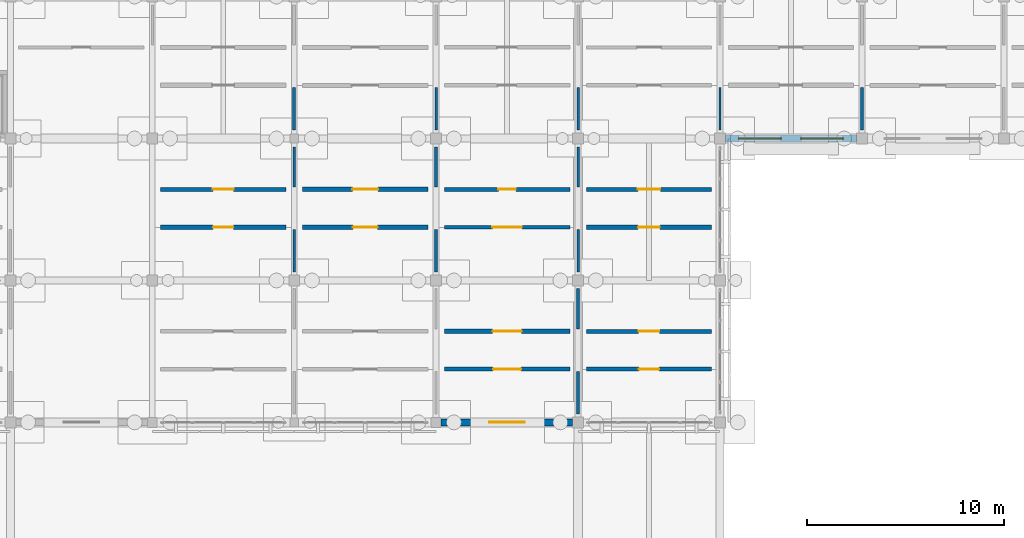
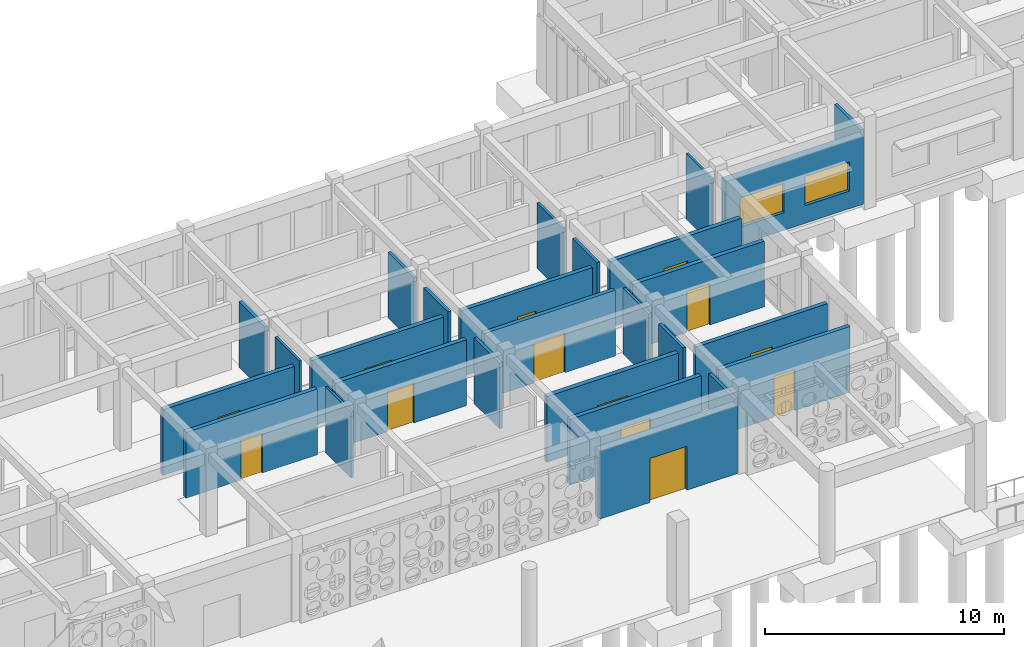
# One storey, part 73 of 111: 27 walls, 13 doors, 2 windows, 15 openings.
"""IFC4 building model written with IfcOpenShell, lengths in metres."""

from ifc_helpers import new_model, si_unit, direction, frame, frame_2d, origin, place, context, subcontext, project, spatial, rectangle, extrude, material, layer, layer_set, type_object, element, fill, save


model = new_model("IFC4")

# Units and contexts
model_context = context("Model", 3, precision=1e-05, world=origin(), true_north=direction((0.0, 1.0)))
body_context = subcontext(model_context, "Body", "Model", "MODEL_VIEW")
ifc_project = project(units=[si_unit("LENGTHUNIT", "METRE"), si_unit("AREAUNIT", "SQUARE_METRE"), si_unit("VOLUMEUNIT", "CUBIC_METRE"), si_unit("PLANEANGLEUNIT", "RADIAN"), si_unit("MASSUNIT", "GRAM", prefix="KILO")], contexts=[model_context])

# Site, building, storey
site_placement = place(None, origin())
site = spatial("IfcSite", under=ifc_project, at=site_placement, CompositionType="ELEMENT")
building_placement = place(site_placement, origin())
building = spatial("IfcBuilding", under=site, at=building_placement, Name="Aldebral Square Health Centre", CompositionType="ELEMENT")
storey_placement = place(building_placement, origin())
storey = spatial("IfcBuildingStorey", under=building, at=storey_placement, Name="L00", CompositionType="ELEMENT", Elevation=0.0)

# Wall, opening, door
ifc_material_1 = material(Name="Cream cantera stone and concrete wall C35/45", Category="masonry")
ifc_layer_1 = layer(ifc_material_1, 0.360107421875, Name="Cream cantera stone and concrete wall C35/45", Category="masonry")
ifc_layer_set_1 = layer_set([ifc_layer_1], Name="Cream cantera stone and concrete wall C35/45")
wall_type_1 = type_object("IfcWallType", Name="EW-CAN-360", PredefinedType="SOLIDWALL", material=ifc_layer_set_1)
wall_1_placement = place(storey_placement, frame((100.52490234375, 79.199951171875, 0.0), z_axis=(0.0, 0.0, 1.0), x_axis=(-1.0, 0.0, 0.0)))
wall_1 = element("IfcWall", 1, at=wall_1_placement, inside=storey, type_object=wall_type_1, Name="L00 V1 exterior wall L00-V1-13-11-S", PredefinedType="SOLIDWALL", context=body_context, shape_type="SweptSolid", body=[
    extrude(rectangle(XDim=6.6748046875, YDim=0.360107421875, at=frame_2d((3.33740234375, 0.0))), origin(), (0.0, 0.0, 1.0), 3.469970703125),
])
opening_1_placement = place(wall_1_placement, frame((2.4375, 0.0, 0.0)))
opening_1 = element("IfcOpeningElement", 2, at=opening_1_placement, cuts=wall_1, Name="Opening D-EX02", PredefinedType="OPENING", context=body_context, shape_type="SweptSolid", body=[
    extrude(rectangle(XDim=1.800048828125, YDim=2.25, at=frame_2d((0.89990234375, 1.125))), frame((0.0, 0.18994140625, 0.0), z_axis=(0.0, -1.0, 0.0), x_axis=(1.0, 0.0, 0.0)), (0.0, 0.0, 1.0), 0.380126953125),
])
ifc_material_2 = material(Name="Anodised aluminium and laminated safety glass", Category="aluminium")
door_type_1 = type_object("IfcDoorType", Name="DR-EX-180", OperationType="DOUBLE_DOOR_SINGLE_SWING", PredefinedType="DOOR", material=ifc_material_2)
door_1_placement = place(opening_1_placement, origin())
door_1 = element("IfcDoor", 3, at=door_1_placement, inside=storey, type_object=door_type_1, Name="L00 exterior door D-EX02", OperationType="DOUBLE_DOOR_SINGLE_SWING", OverallHeight=2.25, OverallWidth=1.800048828125, PredefinedType="DOOR", context=body_context, shape_type="SweptSolid", body=[
    extrude(rectangle(XDim=1.800048828125, YDim=2.25, at=frame_2d((0.89990234375, 1.125))), frame((0.0, 0.02490234375, 0.0), z_axis=(0.0, -1.0, 0.0), x_axis=(1.0, 0.0, 0.0)), (0.0, 0.0, 1.0), 0.050048828125),
])
fill(opening_1, door_1)

# Wall, openings, windows
wall_2_placement = place(storey_placement, frame((108.27490234375, 93.60009765625, 0.0), z_axis=(0.0, 0.0, 1.0), x_axis=(1.0, 0.0, 0.0)))
wall_2 = element("IfcWall", 4, at=wall_2_placement, inside=storey, type_object=wall_type_1, Name="L00 V5 exterior wall L00-V5-15-13-S", PredefinedType="SOLIDWALL", context=body_context, shape_type="SweptSolid", body=[
    extrude(rectangle(XDim=6.650146484375, YDim=0.360107421875, at=frame_2d((3.3251953125, 0.0))), origin(), (0.0, 0.0, 1.0), 3.469970703125),
])
opening_2_placement = place(wall_2_placement, frame((0.675048828125, 0.0, 0.89990234375)))
opening_2 = element("IfcOpeningElement", 5, at=opening_2_placement, cuts=wall_2, Name="Opening W27", PredefinedType="OPENING", context=body_context, shape_type="SweptSolid", body=[
    extrude(rectangle(XDim=2.14990234375, YDim=1.5, at=frame_2d((1.074951171875, 0.75))), frame((0.0, 0.18994140625, 0.0), z_axis=(0.0, -1.0, 0.0), x_axis=(1.0, 0.0, 0.0)), (0.0, 0.0, 1.0), 0.380126953125),
])
opening_3_placement = place(wall_2_placement, frame((3.824951171875, 0.0, 0.89990234375)))
opening_3 = element("IfcOpeningElement", 6, at=opening_3_placement, cuts=wall_2, Name="Opening W27", PredefinedType="OPENING", context=body_context, shape_type="SweptSolid", body=[
    extrude(rectangle(XDim=2.14990234375, YDim=1.5, at=frame_2d((1.074951171875, 0.75))), frame((0.0, 0.18994140625, 0.0), z_axis=(0.0, -1.0, 0.0), x_axis=(1.0, 0.0, 0.0)), (0.0, 0.0, 1.0), 0.380126953125),
])
ifc_material_3 = material(Name="Thermally broken aluminium and low-E glass", Category="aluminium")
window_type = type_object("IfcWindowType", Name="WIN-W27", PartitioningType="SINGLE_PANEL", PredefinedType="WINDOW", material=ifc_material_3)
window_1_placement = place(opening_2_placement, origin())
window_1 = element("IfcWindow", 7, at=window_1_placement, inside=storey, type_object=window_type, Name="L00 clinical window L00-V5-15-13-S.1", OverallHeight=1.5, OverallWidth=2.14990234375, PartitioningType="SINGLE_PANEL", PredefinedType="WINDOW", context=body_context, shape_type="SweptSolid", body=[
    extrude(rectangle(XDim=2.14990234375, YDim=1.5, at=frame_2d((1.074951171875, 0.75))), frame((0.0, 0.030029296875, 0.0), z_axis=(0.0, -1.0, 0.0), x_axis=(1.0, 0.0, 0.0)), (0.0, 0.0, 1.0), 0.06005859375),
])
fill(opening_2, window_1)
window_2_placement = place(opening_3_placement, origin())
window_2 = element("IfcWindow", 8, at=window_2_placement, inside=storey, type_object=window_type, Name="L00 clinical window L00-V5-15-13-S.2", OverallHeight=1.5, OverallWidth=2.14990234375, PartitioningType="SINGLE_PANEL", PredefinedType="WINDOW", context=body_context, shape_type="SweptSolid", body=[
    extrude(rectangle(XDim=2.14990234375, YDim=1.5, at=frame_2d((1.074951171875, 0.75))), frame((0.0, 0.030029296875, 0.0), z_axis=(0.0, -1.0, 0.0), x_axis=(1.0, 0.0, 0.0)), (0.0, 0.0, 1.0), 0.06005859375),
])
fill(opening_3, window_2)

# Wall, opening, door
ifc_material_4 = material(Name="Concrete C35/45 compartment wall", Category="concrete")
ifc_layer_2 = layer(ifc_material_4, 0.199951171875, Name="Concrete C35/45 compartment wall", Category="concrete")
ifc_layer_set_2 = layer_set([ifc_layer_2], Name="Concrete C35/45 compartment wall")
wall_type_2 = type_object("IfcWallType", Name="IW-CMP-200", PredefinedType="SOLIDWALL", material=ifc_layer_set_2)
wall_3_placement = place(storey_placement, frame((94.02001953125, 89.10009765625, 0.0), z_axis=(0.0, 0.0, 1.0), x_axis=(1.0, 0.0, 0.0)))
wall_3 = element("IfcWall", 9, at=wall_3_placement, inside=storey, type_object=wall_type_2, Name="L00 Outpatient Registration 14.13S corridor wall", PredefinedType="SOLIDWALL", context=body_context, shape_type="SweptSolid", body=[
    extrude(rectangle(XDim=6.35986328125, YDim=0.199951171875, at=frame_2d((3.179931640625, 0.0))), origin(), (0.0, 0.0, 1.0), 3.360107421875),
])
opening_4_placement = place(wall_3_placement, frame((2.429931640625, 0.0, 0.0)))
opening_4 = element("IfcOpeningElement", 10, at=opening_4_placement, cuts=wall_3, Name="Opening D-FD60-20", PredefinedType="OPENING", context=body_context, shape_type="SweptSolid", body=[
    extrude(rectangle(XDim=1.5, YDim=2.0400390625, at=frame_2d((0.75, 1.02001953125))), frame((0.0, 0.10986328125, 0.0), z_axis=(0.0, -1.0, 0.0), x_axis=(1.0, 0.0, 0.0)), (0.0, 0.0, 1.0), 0.219970703125),
])
ifc_material_5 = material(Name="Clinical suite fire door")
door_type_2 = type_object("IfcDoorType", Name="ID-EXD-15", OperationType="NOTDEFINED", PredefinedType="DOOR", material=ifc_material_5)
door_2_placement = place(opening_4_placement, origin())
door_2 = element("IfcDoor", 11, at=door_2_placement, inside=storey, type_object=door_type_2, Name="L00 Outpatient Registration 14.13S door", OperationType="SINGLE_SWING_LEFT", OverallHeight=2.0400390625, OverallWidth=1.5, PredefinedType="DOOR", context=body_context, shape_type="SweptSolid", body=[
    extrude(rectangle(XDim=1.5, YDim=2.0400390625, at=frame_2d((0.75, 1.02001953125))), frame((0.0, 0.02490234375, 0.0), z_axis=(0.0, -1.0, 0.0), x_axis=(1.0, 0.0, 0.0)), (0.0, 0.0, 1.0), 0.050048828125),
])
fill(opening_4, door_2)

wall_4_placement = place(storey_placement, frame((94.02001953125, 91.02001953125, 0.0), z_axis=(0.0, 0.0, 1.0), x_axis=(1.0, 0.0, 0.0)))
wall_4 = element("IfcWall", 12, at=wall_4_placement, inside=storey, type_object=wall_type_2, Name="L00 Pharmacy Dispensary 14.13N corridor wall", PredefinedType="SOLIDWALL", context=body_context, shape_type="SweptSolid", body=[
    extrude(rectangle(XDim=6.35986328125, YDim=0.199951171875, at=frame_2d((3.179931640625, 0.0))), origin(), (0.0, 0.0, 1.0), 3.360107421875),
])
opening_5_placement = place(wall_4_placement, frame((2.72998046875, 0.0, 0.0)))
opening_5 = element("IfcOpeningElement", 13, at=opening_5_placement, cuts=wall_4, Name="Opening D-FD60-21", PredefinedType="OPENING", context=body_context, shape_type="SweptSolid", body=[
    extrude(rectangle(XDim=0.89990234375, YDim=2.090087890625, at=frame_2d((0.449951171875, 1.044921875))), frame((0.0, 0.10986328125, 0.0), z_axis=(0.0, -1.0, 0.0), x_axis=(1.0, 0.0, 0.0)), (0.0, 0.0, 1.0), 0.219970703125),
])
door_type_3 = type_object("IfcDoorType", Name="ID-EXD-16", OperationType="NOTDEFINED", PredefinedType="DOOR", material=ifc_material_5)
door_3_placement = place(opening_5_placement, origin())
door_3 = element("IfcDoor", 14, at=door_3_placement, inside=storey, type_object=door_type_3, Name="L00 Pharmacy Dispensary 14.13N door", OperationType="SINGLE_SWING_RIGHT", OverallHeight=2.090087890625, OverallWidth=0.89990234375, PredefinedType="DOOR", context=body_context, shape_type="SweptSolid", body=[
    extrude(rectangle(XDim=0.89990234375, YDim=2.090087890625, at=frame_2d((0.449951171875, 1.044921875))), frame((0.0, 0.02490234375, 0.0), z_axis=(0.0, -1.0, 0.0), x_axis=(1.0, 0.0, 0.0)), (0.0, 0.0, 1.0), 0.050048828125),
])
fill(opening_5, door_3)

wall_5_placement = place(storey_placement, frame((101.219970703125, 81.89990234375, 0.0), z_axis=(0.0, 0.0, 1.0), x_axis=(1.0, 0.0, 0.0)))
wall_5 = element("IfcWall", 15, at=wall_5_placement, inside=storey, type_object=wall_type_2, Name="L00 Community Cafe 15.12S corridor wall", PredefinedType="SOLIDWALL", context=body_context, shape_type="SweptSolid", body=[
    extrude(rectangle(XDim=6.360107421875, YDim=0.199951171875, at=frame_2d((3.18017578125, 0.0))), origin(), (0.0, 0.0, 1.0), 3.360107421875),
])
opening_6_placement = place(wall_5_placement, frame((2.669921875, 0.0, 0.0)))
opening_6 = element("IfcOpeningElement", 16, at=opening_6_placement, cuts=wall_5, Name="Opening D-FD60-24", PredefinedType="OPENING", context=body_context, shape_type="SweptSolid", body=[
    extrude(rectangle(XDim=1.02001953125, YDim=2.090087890625, at=frame_2d((0.510009765625, 1.044921875))), frame((0.0, 0.10986328125, 0.0), z_axis=(0.0, -1.0, 0.0), x_axis=(1.0, 0.0, 0.0)), (0.0, 0.0, 1.0), 0.219970703125),
])
door_type_4 = type_object("IfcDoorType", Name="ID-EXD-19", OperationType="NOTDEFINED", PredefinedType="DOOR", material=ifc_material_5)
door_4_placement = place(opening_6_placement, origin())
door_4 = element("IfcDoor", 17, at=door_4_placement, inside=storey, type_object=door_type_4, Name="L00 Community Cafe 15.12S door", OperationType="SINGLE_SWING_LEFT", OverallHeight=2.090087890625, OverallWidth=1.02001953125, PredefinedType="DOOR", context=body_context, shape_type="SweptSolid", body=[
    extrude(rectangle(XDim=1.02001953125, YDim=2.090087890625, at=frame_2d((0.510009765625, 1.044921875))), frame((0.0, 0.02490234375, 0.0), z_axis=(0.0, -1.0, 0.0), x_axis=(1.0, 0.0, 0.0)), (0.0, 0.0, 1.0), 0.050048828125),
])
fill(opening_6, door_4)

wall_6_placement = place(storey_placement, frame((101.219970703125, 83.820068359375, 0.0), z_axis=(0.0, 0.0, 1.0), x_axis=(1.0, 0.0, 0.0)))
wall_6 = element("IfcWall", 18, at=wall_6_placement, inside=storey, type_object=wall_type_2, Name="L00 Health Shop 15.12N corridor wall", PredefinedType="SOLIDWALL", context=body_context, shape_type="SweptSolid", body=[
    extrude(rectangle(XDim=6.360107421875, YDim=0.199951171875, at=frame_2d((3.18017578125, 0.0))), origin(), (0.0, 0.0, 1.0), 3.360107421875),
])
opening_7_placement = place(wall_6_placement, frame((2.64990234375, 0.0, 0.0)))
opening_7 = element("IfcOpeningElement", 19, at=opening_7_placement, cuts=wall_6, Name="Opening D-FD60-25", PredefinedType="OPENING", context=body_context, shape_type="SweptSolid", body=[
    extrude(rectangle(XDim=1.06005859375, YDim=2.090087890625, at=frame_2d((0.530029296875, 1.044921875))), frame((0.0, 0.10986328125, 0.0), z_axis=(0.0, -1.0, 0.0), x_axis=(1.0, 0.0, 0.0)), (0.0, 0.0, 1.0), 0.219970703125),
])
door_type_5 = type_object("IfcDoorType", Name="ID-EXD-20", OperationType="NOTDEFINED", PredefinedType="DOOR", material=ifc_material_5)
door_5_placement = place(opening_7_placement, origin())
door_5 = element("IfcDoor", 20, at=door_5_placement, inside=storey, type_object=door_type_5, Name="L00 Health Shop 15.12N door", OperationType="SINGLE_SWING_RIGHT", OverallHeight=2.090087890625, OverallWidth=1.06005859375, PredefinedType="DOOR", context=body_context, shape_type="SweptSolid", body=[
    extrude(rectangle(XDim=1.06005859375, YDim=2.090087890625, at=frame_2d((0.530029296875, 1.044921875))), frame((0.0, 0.02490234375, 0.0), z_axis=(0.0, -1.0, 0.0), x_axis=(1.0, 0.0, 0.0)), (0.0, 0.0, 1.0), 0.050048828125),
])
fill(opening_7, door_5)

ifc_layer_3 = layer(ifc_material_4, 0.219970703125, Name="Concrete C35/45 compartment wall", Category="concrete")
ifc_layer_set_3 = layer_set([ifc_layer_3], Name="Concrete C35/45 compartment wall")
wall_type_3 = type_object("IfcWallType", Name="IW-CMP-220", PredefinedType="SOLIDWALL", material=ifc_layer_set_3)
wall_7_placement = place(storey_placement, frame((86.820068359375, 89.10009765625, 0.0), z_axis=(0.0, 0.0, 1.0), x_axis=(1.0, 0.0, 0.0)))
wall_7 = element("IfcWall", 21, at=wall_7_placement, inside=storey, type_object=wall_type_3, Name="L00 Pharmacy Cold Chain Room 13.13S corridor wall", PredefinedType="SOLIDWALL", context=body_context, shape_type="SweptSolid", body=[
    extrude(rectangle(XDim=6.35986328125, YDim=0.219970703125, at=frame_2d((3.179931640625, 0.0))), origin(), (0.0, 0.0, 1.0), 3.360107421875),
])
opening_8_placement = place(wall_7_placement, frame((2.550048828125, 0.0, 0.0)))
opening_8 = element("IfcOpeningElement", 22, at=opening_8_placement, cuts=wall_7, Name="Opening D-FD60-14", PredefinedType="OPENING", context=body_context, shape_type="SweptSolid", body=[
    extrude(rectangle(XDim=1.260009765625, YDim=2.0400390625, at=frame_2d((0.6298828125, 1.02001953125))), frame((0.0, 0.1201171875, 0.0), z_axis=(0.0, -1.0, 0.0), x_axis=(1.0, 0.0, 0.0)), (0.0, 0.0, 1.0), 0.239990234375),
])
door_type_6 = type_object("IfcDoorType", Name="ID-EXD-09", OperationType="NOTDEFINED", PredefinedType="DOOR", material=ifc_material_5)
door_6_placement = place(opening_8_placement, origin())
door_6 = element("IfcDoor", 23, at=door_6_placement, inside=storey, type_object=door_type_6, Name="L00 Pharmacy Cold Chain Room 13.13S door", OperationType="SINGLE_SWING_LEFT", OverallHeight=2.0400390625, OverallWidth=1.260009765625, PredefinedType="DOOR", context=body_context, shape_type="SweptSolid", body=[
    extrude(rectangle(XDim=1.260009765625, YDim=2.0400390625, at=frame_2d((0.6298828125, 1.02001953125))), frame((0.0, 0.02490234375, 0.0), z_axis=(0.0, -1.0, 0.0), x_axis=(1.0, 0.0, 0.0)), (0.0, 0.0, 1.0), 0.050048828125),
])
fill(opening_8, door_6)

wall_8_placement = place(storey_placement, frame((86.820068359375, 91.02001953125, 0.0), z_axis=(0.0, 0.0, 1.0), x_axis=(1.0, 0.0, 0.0)))
wall_8 = element("IfcWall", 24, at=wall_8_placement, inside=storey, type_object=wall_type_3, Name="L00 Community Cafe 13.13N corridor wall", PredefinedType="SOLIDWALL", context=body_context, shape_type="SweptSolid", body=[
    extrude(rectangle(XDim=6.35986328125, YDim=0.219970703125, at=frame_2d((3.179931640625, 0.0))), origin(), (0.0, 0.0, 1.0), 3.360107421875),
])
opening_9_placement = place(wall_8_placement, frame((2.530029296875, 0.0, 0.0)))
opening_9 = element("IfcOpeningElement", 25, at=opening_9_placement, cuts=wall_8, Name="Opening D-FD60-15", PredefinedType="OPENING", context=body_context, shape_type="SweptSolid", body=[
    extrude(rectangle(XDim=1.300048828125, YDim=2.0400390625, at=frame_2d((0.64990234375, 1.02001953125))), frame((0.0, 0.1201171875, 0.0), z_axis=(0.0, -1.0, 0.0), x_axis=(1.0, 0.0, 0.0)), (0.0, 0.0, 1.0), 0.239990234375),
])
door_type_7 = type_object("IfcDoorType", Name="ID-EXD-10", OperationType="NOTDEFINED", PredefinedType="DOOR", material=ifc_material_5)
door_7_placement = place(opening_9_placement, origin())
door_7 = element("IfcDoor", 26, at=door_7_placement, inside=storey, type_object=door_type_7, Name="L00 Community Cafe 13.13N door", OperationType="SINGLE_SWING_RIGHT", OverallHeight=2.0400390625, OverallWidth=1.300048828125, PredefinedType="DOOR", context=body_context, shape_type="SweptSolid", body=[
    extrude(rectangle(XDim=1.300048828125, YDim=2.0400390625, at=frame_2d((0.64990234375, 1.02001953125))), frame((0.0, 0.02490234375, 0.0), z_axis=(0.0, -1.0, 0.0), x_axis=(1.0, 0.0, 0.0)), (0.0, 0.0, 1.0), 0.050048828125),
])
fill(opening_9, door_7)

wall_9_placement = place(storey_placement, frame((94.02001953125, 83.820068359375, 0.0), z_axis=(0.0, 0.0, 1.0), x_axis=(1.0, 0.0, 0.0)))
wall_9 = element("IfcWall", 27, at=wall_9_placement, inside=storey, type_object=wall_type_3, Name="L00 Waiting Hall 14.12N corridor wall", PredefinedType="SOLIDWALL", context=body_context, shape_type="SweptSolid", body=[
    extrude(rectangle(XDim=6.35986328125, YDim=0.219970703125, at=frame_2d((3.179931640625, 0.0))), origin(), (0.0, 0.0, 1.0), 3.360107421875),
])
opening_10_placement = place(wall_9_placement, frame((2.449951171875, 0.0, 0.0)))
opening_10 = element("IfcOpeningElement", 28, at=opening_10_placement, cuts=wall_9, Name="Opening D-FD60-19", PredefinedType="OPENING", context=body_context, shape_type="SweptSolid", body=[
    extrude(rectangle(XDim=1.4599609375, YDim=2.0400390625, at=frame_2d((0.72998046875, 1.02001953125))), frame((0.0, 0.1201171875, 0.0), z_axis=(0.0, -1.0, 0.0), x_axis=(1.0, 0.0, 0.0)), (0.0, 0.0, 1.0), 0.239990234375),
])
door_type_8 = type_object("IfcDoorType", Name="ID-EXD-14", OperationType="NOTDEFINED", PredefinedType="DOOR", material=ifc_material_5)
door_8_placement = place(opening_10_placement, origin())
door_8 = element("IfcDoor", 29, at=door_8_placement, inside=storey, type_object=door_type_8, Name="L00 Waiting Hall 14.12N door", OperationType="SINGLE_SWING_RIGHT", OverallHeight=2.0400390625, OverallWidth=1.4599609375, PredefinedType="DOOR", context=body_context, shape_type="SweptSolid", body=[
    extrude(rectangle(XDim=1.4599609375, YDim=2.0400390625, at=frame_2d((0.72998046875, 1.02001953125))), frame((0.0, 0.02490234375, 0.0), z_axis=(0.0, -1.0, 0.0), x_axis=(1.0, 0.0, 0.0)), (0.0, 0.0, 1.0), 0.050048828125),
])
fill(opening_10, door_8)

ifc_material_6 = material(Name="Moisture-resistant sanitary chase wall")
ifc_layer_4 = layer(ifc_material_6, 0.2099609375, Name="Moisture-resistant sanitary chase wall")
ifc_layer_set_4 = layer_set([ifc_layer_4], Name="Moisture-resistant sanitary chase wall")
wall_type_4 = type_object("IfcWallType", Name="IW-PLB-210", PredefinedType="PLUMBINGWALL", material=ifc_layer_set_4)
wall_10_placement = place(storey_placement, frame((79.6201171875, 89.10009765625, 0.0), z_axis=(0.0, 0.0, 1.0), x_axis=(1.0, 0.0, 0.0)))
wall_10 = element("IfcWall", 30, at=wall_10_placement, inside=storey, type_object=wall_type_4, Name="L00 Accessible WC 12.13S corridor wall", PredefinedType="PLUMBINGWALL", context=body_context, shape_type="SweptSolid", body=[
    extrude(rectangle(XDim=6.35986328125, YDim=0.2099609375, at=frame_2d((3.179931640625, 0.0))), origin(), (0.0, 0.0, 1.0), 3.360107421875),
])
opening_11_placement = place(wall_10_placement, frame((2.669921875, 0.0, 0.0)))
opening_11 = element("IfcOpeningElement", 31, at=opening_11_placement, cuts=wall_10, Name="Opening D-FD60-8", PredefinedType="OPENING", context=body_context, shape_type="SweptSolid", body=[
    extrude(rectangle(XDim=1.02001953125, YDim=2.0400390625, at=frame_2d((0.510009765625, 1.02001953125))), frame((0.0, 0.114990234375, 0.0), z_axis=(0.0, -1.0, 0.0), x_axis=(1.0, 0.0, 0.0)), (0.0, 0.0, 1.0), 0.22998046875),
])
door_type_9 = type_object("IfcDoorType", Name="ID-EXD-03", OperationType="NOTDEFINED", PredefinedType="DOOR", material=ifc_material_5)
door_9_placement = place(opening_11_placement, origin())
door_9 = element("IfcDoor", 32, at=door_9_placement, inside=storey, type_object=door_type_9, Name="L00 Accessible WC 12.13S door", OperationType="SINGLE_SWING_LEFT", OverallHeight=2.0400390625, OverallWidth=1.02001953125, PredefinedType="DOOR", context=body_context, shape_type="SweptSolid", body=[
    extrude(rectangle(XDim=1.02001953125, YDim=2.0400390625, at=frame_2d((0.510009765625, 1.02001953125))), frame((0.0, 0.02490234375, 0.0), z_axis=(0.0, -1.0, 0.0), x_axis=(1.0, 0.0, 0.0)), (0.0, 0.0, 1.0), 0.050048828125),
])
fill(opening_11, door_9)

wall_11_placement = place(storey_placement, frame((79.6201171875, 91.02001953125, 0.0), z_axis=(0.0, 0.0, 1.0), x_axis=(1.0, 0.0, 0.0)))
wall_11 = element("IfcWall", 33, at=wall_11_placement, inside=storey, type_object=wall_type_4, Name="L00 Public Toilet 12.13N corridor wall", PredefinedType="PLUMBINGWALL", context=body_context, shape_type="SweptSolid", body=[
    extrude(rectangle(XDim=6.35986328125, YDim=0.2099609375, at=frame_2d((3.179931640625, 0.0))), origin(), (0.0, 0.0, 1.0), 3.360107421875),
])
opening_12_placement = place(wall_11_placement, frame((2.64990234375, 0.0, 0.0)))
opening_12 = element("IfcOpeningElement", 34, at=opening_12_placement, cuts=wall_11, Name="Opening D-FD60-9", PredefinedType="OPENING", context=body_context, shape_type="SweptSolid", body=[
    extrude(rectangle(XDim=1.06005859375, YDim=2.0400390625, at=frame_2d((0.530029296875, 1.02001953125))), frame((0.0, 0.114990234375, 0.0), z_axis=(0.0, -1.0, 0.0), x_axis=(1.0, 0.0, 0.0)), (0.0, 0.0, 1.0), 0.22998046875),
])
door_type_10 = type_object("IfcDoorType", Name="ID-EXD-04", OperationType="NOTDEFINED", PredefinedType="DOOR", material=ifc_material_5)
door_10_placement = place(opening_12_placement, origin())
door_10 = element("IfcDoor", 35, at=door_10_placement, inside=storey, type_object=door_type_10, Name="L00 Public Toilet 12.13N door", OperationType="SINGLE_SWING_RIGHT", OverallHeight=2.0400390625, OverallWidth=1.06005859375, PredefinedType="DOOR", context=body_context, shape_type="SweptSolid", body=[
    extrude(rectangle(XDim=1.06005859375, YDim=2.0400390625, at=frame_2d((0.530029296875, 1.02001953125))), frame((0.0, 0.02490234375, 0.0), z_axis=(0.0, -1.0, 0.0), x_axis=(1.0, 0.0, 0.0)), (0.0, 0.0, 1.0), 0.050048828125),
])
fill(opening_12, door_10)

wall_12_placement = place(storey_placement, frame((94.02001953125, 81.89990234375, 0.0), z_axis=(0.0, 0.0, 1.0), x_axis=(1.0, 0.0, 0.0)))
wall_12 = element("IfcWall", 36, at=wall_12_placement, inside=storey, type_object=wall_type_4, Name="L00 Public Toilet 14.12S corridor wall", PredefinedType="PLUMBINGWALL", context=body_context, shape_type="SweptSolid", body=[
    extrude(rectangle(XDim=6.35986328125, YDim=0.2099609375, at=frame_2d((3.179931640625, 0.0))), origin(), (0.0, 0.0, 1.0), 3.360107421875),
])
opening_13_placement = place(wall_12_placement, frame((2.469970703125, 0.0, 0.0)))
opening_13 = element("IfcOpeningElement", 37, at=opening_13_placement, cuts=wall_12, Name="Opening D-FD60-18", PredefinedType="OPENING", context=body_context, shape_type="SweptSolid", body=[
    extrude(rectangle(XDim=1.419921875, YDim=2.0400390625, at=frame_2d((0.7099609375, 1.02001953125))), frame((0.0, 0.114990234375, 0.0), z_axis=(0.0, -1.0, 0.0), x_axis=(1.0, 0.0, 0.0)), (0.0, 0.0, 1.0), 0.22998046875),
])
door_type_11 = type_object("IfcDoorType", Name="ID-EXD-13", OperationType="NOTDEFINED", PredefinedType="DOOR", material=ifc_material_5)
door_11_placement = place(opening_13_placement, origin())
door_11 = element("IfcDoor", 38, at=door_11_placement, inside=storey, type_object=door_type_11, Name="L00 Public Toilet 14.12S door", OperationType="SINGLE_SWING_LEFT", OverallHeight=2.0400390625, OverallWidth=1.419921875, PredefinedType="DOOR", context=body_context, shape_type="SweptSolid", body=[
    extrude(rectangle(XDim=1.419921875, YDim=2.0400390625, at=frame_2d((0.7099609375, 1.02001953125))), frame((0.0, 0.02490234375, 0.0), z_axis=(0.0, -1.0, 0.0), x_axis=(1.0, 0.0, 0.0)), (0.0, 0.0, 1.0), 0.050048828125),
])
fill(opening_13, door_11)

wall_13_placement = place(storey_placement, frame((101.219970703125, 89.10009765625, 0.0), z_axis=(0.0, 0.0, 1.0), x_axis=(1.0, 0.0, 0.0)))
wall_13 = element("IfcWall", 39, at=wall_13_placement, inside=storey, type_object=wall_type_4, Name="L00 Accessible WC 15.13S corridor wall", PredefinedType="PLUMBINGWALL", context=body_context, shape_type="SweptSolid", body=[
    extrude(rectangle(XDim=6.360107421875, YDim=0.2099609375, at=frame_2d((3.18017578125, 0.0))), origin(), (0.0, 0.0, 1.0), 3.360107421875),
])
opening_14_placement = place(wall_13_placement, frame((2.6298828125, 0.0, 0.0)))
opening_14 = element("IfcOpeningElement", 40, at=opening_14_placement, cuts=wall_13, Name="Opening D-FD60-26", PredefinedType="OPENING", context=body_context, shape_type="SweptSolid", body=[
    extrude(rectangle(XDim=1.10009765625, YDim=2.090087890625, at=frame_2d((0.550048828125, 1.044921875))), frame((0.0, 0.114990234375, 0.0), z_axis=(0.0, -1.0, 0.0), x_axis=(1.0, 0.0, 0.0)), (0.0, 0.0, 1.0), 0.22998046875),
])
door_type_12 = type_object("IfcDoorType", Name="ID-EXD-21", OperationType="NOTDEFINED", PredefinedType="DOOR", material=ifc_material_5)
door_12_placement = place(opening_14_placement, origin())
door_12 = element("IfcDoor", 41, at=door_12_placement, inside=storey, type_object=door_type_12, Name="L00 Accessible WC 15.13S door", OperationType="SINGLE_SWING_LEFT", OverallHeight=2.090087890625, OverallWidth=1.10009765625, PredefinedType="DOOR", context=body_context, shape_type="SweptSolid", body=[
    extrude(rectangle(XDim=1.10009765625, YDim=2.090087890625, at=frame_2d((0.550048828125, 1.044921875))), frame((0.0, 0.02490234375, 0.0), z_axis=(0.0, -1.0, 0.0), x_axis=(1.0, 0.0, 0.0)), (0.0, 0.0, 1.0), 0.050048828125),
])
fill(opening_14, door_12)

wall_14_placement = place(storey_placement, frame((101.219970703125, 91.02001953125, 0.0), z_axis=(0.0, 0.0, 1.0), x_axis=(1.0, 0.0, 0.0)))
wall_14 = element("IfcWall", 42, at=wall_14_placement, inside=storey, type_object=wall_type_4, Name="L00 Public Toilet 15.13N corridor wall", PredefinedType="PLUMBINGWALL", context=body_context, shape_type="SweptSolid", body=[
    extrude(rectangle(XDim=6.360107421875, YDim=0.2099609375, at=frame_2d((3.18017578125, 0.0))), origin(), (0.0, 0.0, 1.0), 3.360107421875),
])
opening_15_placement = place(wall_14_placement, frame((2.610107421875, 0.0, 0.0)))
opening_15 = element("IfcOpeningElement", 43, at=opening_15_placement, cuts=wall_14, Name="Opening D-FD60-27", PredefinedType="OPENING", context=body_context, shape_type="SweptSolid", body=[
    extrude(rectangle(XDim=1.139892578125, YDim=2.090087890625, at=frame_2d((0.56982421875, 1.044921875))), frame((0.0, 0.114990234375, 0.0), z_axis=(0.0, -1.0, 0.0), x_axis=(1.0, 0.0, 0.0)), (0.0, 0.0, 1.0), 0.22998046875),
])
door_type_13 = type_object("IfcDoorType", Name="ID-EXD-22", OperationType="NOTDEFINED", PredefinedType="DOOR", material=ifc_material_5)
door_13_placement = place(opening_15_placement, origin())
door_13 = element("IfcDoor", 44, at=door_13_placement, inside=storey, type_object=door_type_13, Name="L00 Public Toilet 15.13N door", OperationType="SINGLE_SWING_RIGHT", OverallHeight=2.090087890625, OverallWidth=1.139892578125, PredefinedType="DOOR", context=body_context, shape_type="SweptSolid", body=[
    extrude(rectangle(XDim=1.139892578125, YDim=2.090087890625, at=frame_2d((0.56982421875, 1.044921875))), frame((0.0, 0.02490234375, 0.0), z_axis=(0.0, -1.0, 0.0), x_axis=(1.0, 0.0, 0.0)), (0.0, 0.0, 1.0), 0.050048828125),
])
fill(opening_15, door_13)

# Walls
ifc_material_7 = material(Name="Lightweight clinical partition")
ifc_layer_5 = layer(ifc_material_7, 0.10498046875, Name="Lightweight clinical partition")
ifc_layer_set_5 = layer_set([ifc_layer_5], Name="Lightweight clinical partition")
wall_type_5 = type_object("IfcWallType", Name="IW-PRT-105", PredefinedType="PARTITIONING", material=ifc_layer_set_5)
wall_15_placement = place(storey_placement, frame((86.39990234375, 86.820068359375, 0.0), z_axis=(0.0, 0.0, 1.0), x_axis=(0.0, 1.0, 0.0)))
element("IfcWall", 45, at=wall_15_placement, inside=storey, type_object=wall_type_5, Name="L00 Accessible WC 12.13S demising partition", PredefinedType="PARTITIONING", context=body_context, shape_type="SweptSolid", body=[
    extrude(rectangle(XDim=2.159912109375, YDim=0.10498046875, at=frame_2d((1.080078125, 0.0))), origin(), (0.0, 0.0, 1.0), 3.360107421875),
])
wall_16_placement = place(storey_placement, frame((86.39990234375, 91.139892578125, 0.0), z_axis=(0.0, 0.0, 1.0), x_axis=(0.0, 1.0, 0.0)))
element("IfcWall", 46, at=wall_16_placement, inside=storey, type_object=wall_type_5, Name="L00 Public Toilet 12.13N demising partition", PredefinedType="PARTITIONING", context=body_context, shape_type="SweptSolid", body=[
    extrude(rectangle(XDim=2.0400390625, YDim=0.10498046875, at=frame_2d((1.02001953125, 0.0))), origin(), (0.0, 0.0, 1.0), 3.360107421875),
])
wall_17_placement = place(storey_placement, frame((108.0, 94.02001953125, 0.0), z_axis=(0.0, 0.0, 1.0), x_axis=(0.0, 1.0, 0.0)))
element("IfcWall", 47, at=wall_17_placement, inside=storey, type_object=wall_type_5, Name="L00 Waiting Hall 15.14S demising partition", PredefinedType="PARTITIONING", context=body_context, shape_type="SweptSolid", body=[
    extrude(rectangle(XDim=2.159912109375, YDim=0.10498046875, at=frame_2d((1.080078125, 0.0))), origin(), (0.0, 0.0, 1.0), 3.360107421875),
])
ifc_material_8 = material(Name="Acoustic clinical gypsum partition")
ifc_layer_6 = layer(ifc_material_8, 0.1201171875, Name="Acoustic clinical gypsum partition")
ifc_layer_set_6 = layer_set([ifc_layer_6], Name="Acoustic clinical gypsum partition")
wall_type_6 = type_object("IfcWallType", Name="IW-PRT-120", PredefinedType="PARTITIONING", material=ifc_layer_set_6)
wall_18_placement = place(storey_placement, frame((100.800048828125, 94.02001953125, 0.0), z_axis=(0.0, 0.0, 1.0), x_axis=(0.0, 1.0, 0.0)))
element("IfcWall", 48, at=wall_18_placement, inside=storey, type_object=wall_type_6, Name="L00 Pharmacy Controlled Store 14.14S demising partition", PredefinedType="PARTITIONING", context=body_context, shape_type="SweptSolid", body=[
    extrude(rectangle(XDim=2.159912109375, YDim=0.1201171875, at=frame_2d((1.080078125, 0.0))), origin(), (0.0, 0.0, 1.0), 3.360107421875),
])
ifc_layer_7 = layer(ifc_material_8, 0.135009765625, Name="Acoustic clinical gypsum partition")
ifc_layer_set_7 = layer_set([ifc_layer_7], Name="Acoustic clinical gypsum partition")
wall_type_7 = type_object("IfcWallType", Name="IW-PRT-135", PredefinedType="PARTITIONING", material=ifc_layer_set_7)
for number, where, z_axis, x_axis, name in (
    (49, (93.60009765625, 94.02001953125, 0.0), (0.0, 0.0, 1.0), (0.0, 1.0, 0.0), "L00 Health Shop 13.14S demising partition"),
    (50, (100.800048828125, 86.820068359375, 0.0), (0.0, 0.0, 1.0), (0.0, 1.0, 0.0), "L00 Outpatient Registration 14.13S demising partition"),
):
    element("IfcWall", number, at=place(storey_placement, frame(where, z_axis=z_axis, x_axis=x_axis)), inside=storey, type_object=wall_type_7, Name=name, PredefinedType="PARTITIONING", context=body_context, shape_type="SweptSolid", body=[
        extrude(rectangle(XDim=2.159912109375, YDim=0.135009765625, at=frame_2d((1.080078125, 0.0))), origin(), (0.0, 0.0, 1.0), 3.360107421875),
    ])
wall_19_placement = place(storey_placement, frame((100.800048828125, 91.139892578125, 0.0), z_axis=(0.0, 0.0, 1.0), x_axis=(0.0, 1.0, 0.0)))
element("IfcWall", 51, at=wall_19_placement, inside=storey, type_object=wall_type_7, Name="L00 Pharmacy Dispensary 14.13N demising partition", PredefinedType="PARTITIONING", context=body_context, shape_type="SweptSolid", body=[
    extrude(rectangle(XDim=2.0400390625, YDim=0.135009765625, at=frame_2d((1.02001953125, 0.0))), origin(), (0.0, 0.0, 1.0), 3.360107421875),
])
ifc_layer_8 = layer(ifc_material_8, 0.14990234375, Name="Acoustic clinical gypsum partition")
ifc_layer_set_8 = layer_set([ifc_layer_8], Name="Acoustic clinical gypsum partition")
wall_type_8 = type_object("IfcWallType", Name="IW-PRT-150", PredefinedType="PARTITIONING", material=ifc_layer_set_8)
for number, where, z_axis, x_axis, name in (
    (52, (86.39990234375, 94.02001953125, 0.0), (0.0, 0.0, 1.0), (0.0, 1.0, 0.0), "L00 Waiting Hall 12.14S demising partition"),
    (53, (93.60009765625, 86.820068359375, 0.0), (0.0, 0.0, 1.0), (0.0, 1.0, 0.0), "L00 Pharmacy Cold Chain Room 13.13S demising partition"),
):
    element("IfcWall", number, at=place(storey_placement, frame(where, z_axis=z_axis, x_axis=x_axis)), inside=storey, type_object=wall_type_8, Name=name, PredefinedType="PARTITIONING", context=body_context, shape_type="SweptSolid", body=[
        extrude(rectangle(XDim=2.159912109375, YDim=0.14990234375, at=frame_2d((1.080078125, 0.0))), origin(), (0.0, 0.0, 1.0), 3.360107421875),
    ])
wall_20_placement = place(storey_placement, frame((93.60009765625, 91.139892578125, 0.0), z_axis=(0.0, 0.0, 1.0), x_axis=(0.0, 1.0, 0.0)))
element("IfcWall", 54, at=wall_20_placement, inside=storey, type_object=wall_type_8, Name="L00 Community Cafe 13.13N demising partition", PredefinedType="PARTITIONING", context=body_context, shape_type="SweptSolid", body=[
    extrude(rectangle(XDim=2.0400390625, YDim=0.14990234375, at=frame_2d((1.02001953125, 0.0))), origin(), (0.0, 0.0, 1.0), 3.360107421875),
])
wall_21_placement = place(storey_placement, frame((100.800048828125, 79.6201171875, 0.0), z_axis=(0.0, 0.0, 1.0), x_axis=(0.0, 1.0, 0.0)))
element("IfcWall", 55, at=wall_21_placement, inside=storey, type_object=wall_type_8, Name="L00 Public Toilet 14.12S demising partition", PredefinedType="PARTITIONING", context=body_context, shape_type="SweptSolid", body=[
    extrude(rectangle(XDim=2.159912109375, YDim=0.14990234375, at=frame_2d((1.080078125, 0.0))), origin(), (0.0, 0.0, 1.0), 3.360107421875),
])
wall_22_placement = place(storey_placement, frame((100.800048828125, 83.93994140625, 0.0), z_axis=(0.0, 0.0, 1.0), x_axis=(0.0, 1.0, 0.0)))
element("IfcWall", 56, at=wall_22_placement, inside=storey, type_object=wall_type_8, Name="L00 Waiting Hall 14.12N demising partition", PredefinedType="PARTITIONING", context=body_context, shape_type="SweptSolid", body=[
    extrude(rectangle(XDim=2.0400390625, YDim=0.14990234375, at=frame_2d((1.02001953125, 0.0))), origin(), (0.0, 0.0, 1.0), 3.360107421875),
])
wall_23_placement = place(storey_placement, frame((115.199951171875, 94.02001953125, 0.0), z_axis=(0.0, 0.0, 1.0), x_axis=(0.0, 1.0, 0.0)))
element("IfcWall", 57, at=wall_23_placement, inside=storey, type_object=wall_type_8, Name="L00 Maternal-Child Clinic 16.14S demising partition", PredefinedType="PARTITIONING", context=body_context, shape_type="SweptSolid", body=[
    extrude(rectangle(XDim=2.159912109375, YDim=0.14990234375, at=frame_2d((1.080078125, 0.0))), origin(), (0.0, 0.0, 1.0), 3.360107421875),
])

save(model, "model.ifc")
